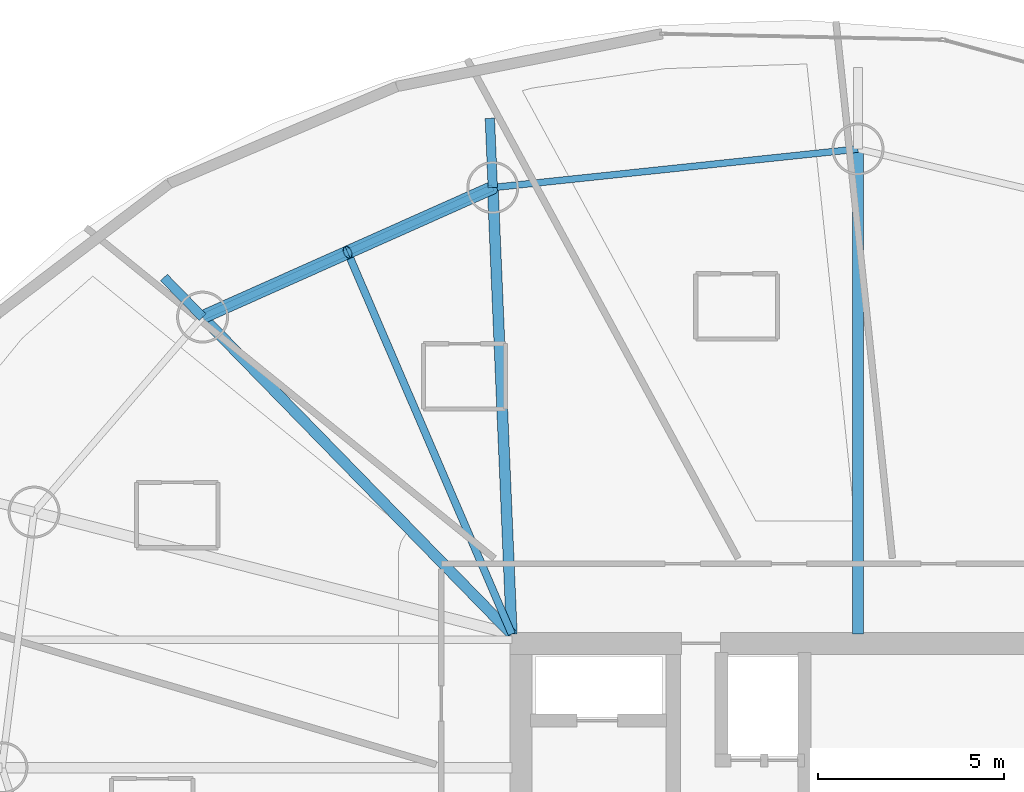
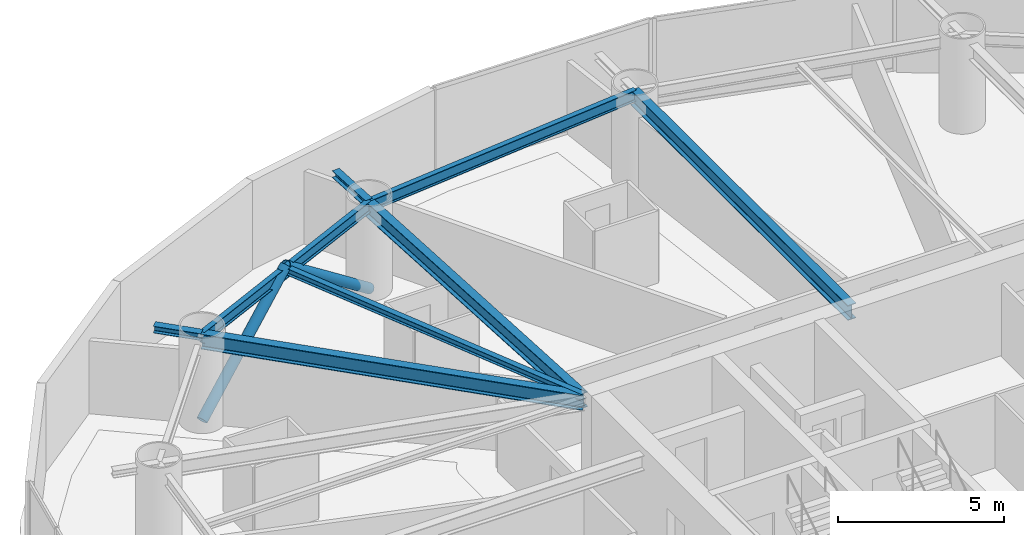
# One storey, part 15 of 26: 8 beams, 2 members.
"""IFC4 building model written with IfcOpenShell, lengths in metres."""

from ifc_helpers import new_model, si_unit, direction, frame, origin, origin_2d, place, context, subcontext, project, spatial, hollow_circle, i_section, extrude, material, material_profile, profile_set, type_object, element, save


model = new_model("IFC4")

# Units and contexts
model_context = context("Model", 3, precision=1e-05, world=origin(), true_north=direction((0.0, 1.0)))
body_context = subcontext(model_context, "Body", "Model", "MODEL_VIEW")
ifc_project = project(units=[si_unit("LENGTHUNIT", "METRE"), si_unit("AREAUNIT", "SQUARE_METRE"), si_unit("VOLUMEUNIT", "CUBIC_METRE"), si_unit("PLANEANGLEUNIT", "RADIAN"), si_unit("MASSUNIT", "GRAM", prefix="KILO")], contexts=[model_context])

# Site, building, storey
site_placement = place(None, origin())
site = spatial("IfcSite", under=ifc_project, at=site_placement, CompositionType="ELEMENT")
building_placement = place(site_placement, origin())
building = spatial("IfcBuilding", under=site, at=building_placement, Name="Bramvorn Convention Spire", CompositionType="ELEMENT")
storey_placement = place(building_placement, frame((0.0, 0.0, 123.800048828125)))
storey = spatial("IfcBuildingStorey", under=building, at=storey_placement, Name="L30", CompositionType="ELEMENT", Elevation=123.800048828125)

# Beams
ifc_material = material(Name="Steel CSA G40.21 Grade 350 (350W)", Category="steel")
ifc_material_profile_1 = material_profile(ifc_material, i_section(OverallWidth=0.201904296875, OverallDepth=0.2470703125, WebThickness=0.00732421875, FlangeThickness=0.010986328125, FilletRadius=0.011962890625, at=origin_2d()))
ifc_profile_set_1 = profile_set([ifc_material_profile_1], Name="Steel CSA G40.21 Grade 350 (350W) - W250X49")
beam_type_1 = type_object("IfcBeamType", Name="BM-W250X49", PredefinedType="JOIST", material=ifc_profile_set_1)
beam_1_placement = place(storey_placement, frame((26.75, 33.449951171875, 3.136474609375), z_axis=(-0.394937739893, 0.918707886985, 0.0), x_axis=(-0.918707886985, -0.394937739893, 0.0)))
element("IfcBeam", 1, at=beam_1_placement, inside=storey, type_object=beam_type_1, Name="L30 composite floor joist 07", PredefinedType="JOIST", context=body_context, shape_type="SweptSolid", body=[
    extrude(i_section(OverallWidth=0.201904296875, OverallDepth=0.2470703125, WebThickness=0.00732421875, FlangeThickness=0.010986328125, FilletRadius=0.011962890625, at=origin_2d()), origin(), (0.0, 0.0, 1.0), 11.19384765625),
])
ifc_material_profile_2 = material_profile(ifc_material, i_section(OverallWidth=0.25390625, OverallDepth=0.2529296875, WebThickness=0.008544921875, FlangeThickness=0.01416015625, FilletRadius=0.011962890625, at=origin_2d()))
ifc_profile_set_2 = profile_set([ifc_material_profile_2], Name="Steel CSA G40.21 Grade 350 (350W) - W250X73")
beam_type_2 = type_object("IfcBeamType", Name="BM-W250X73", PredefinedType="BEAM", material=ifc_profile_set_2)
beam_2_placement = place(storey_placement, frame((26.23828125, 45.478759765625, 3.133544921875), z_axis=(-0.042620227501, 0.999091345277, 0.0), x_axis=(-0.999091345277, -0.042620227501, 0.0)))
element("IfcBeam", 2, at=beam_2_placement, inside=storey, type_object=beam_type_2, Name="L30 slab-edge cantilever tip beam MC07", PredefinedType="BEAM", context=body_context, shape_type="SweptSolid", body=[
    extrude(i_section(OverallWidth=0.25390625, OverallDepth=0.2529296875, WebThickness=0.008544921875, FlangeThickness=0.01416015625, FilletRadius=0.011962890625, at=origin_2d()), origin(), (0.0, 0.0, 1.0), 1.867431640625),
])
beam_3_placement = place(storey_placement, frame((18.420166015625, 41.9892578125, 3.133544921875), z_axis=(-0.698198879145, 0.715903851897, 0.0), x_axis=(-0.715903851897, -0.698198879145, 0.0)))
element("IfcBeam", 3, at=beam_3_placement, inside=storey, type_object=beam_type_2, Name="L30 slab-edge cantilever tip beam MC08", PredefinedType="BEAM", context=body_context, shape_type="SweptSolid", body=[
    extrude(i_section(OverallWidth=0.25390625, OverallDepth=0.2529296875, WebThickness=0.008544921875, FlangeThickness=0.01416015625, FilletRadius=0.011962890625, at=origin_2d()), origin(), (0.0, 0.0, 1.0), 1.4892578125),
])
ifc_material_profile_3 = material_profile(ifc_material, i_section(OverallWidth=0.180908203125, OverallDepth=0.4169921875, WebThickness=0.010986328125, FlangeThickness=0.018310546875, FilletRadius=0.01611328125, at=origin_2d()))
ifc_profile_set_3 = profile_set([ifc_material_profile_3], Name="Steel CSA G40.21 Grade 350 (350W) - W410X85")
beam_type_3 = type_object("IfcBeamType", Name="BM-W410X85", PredefinedType="JOIST", material=ifc_profile_set_3)
beam_4_placement = place(storey_placement, frame((36.075927734375, 46.517333984375, 3.051513671875), z_axis=(-0.994473491975, -0.104987969596, 0.0), x_axis=(0.104987969596, -0.994473491975, 0.0)))
element("IfcBeam", 4, at=beam_4_placement, inside=storey, type_object=beam_type_3, Name="L30 mega-column ring beam 06", PredefinedType="JOIST", context=body_context, shape_type="SweptSolid", body=[
    extrude(i_section(OverallWidth=0.180908203125, OverallDepth=0.4169921875, WebThickness=0.010986328125, FlangeThickness=0.018310546875, FilletRadius=0.01611328125, at=origin_2d()), origin(), (0.0, 0.0, 1.0), 9.892333984375),
])
beam_5_placement = place(storey_placement, frame((26.23828125, 45.478759765625, 3.051513671875), z_axis=(-0.913169534701, -0.407579931908, 0.0), x_axis=(0.407579931908, -0.913169534701, 0.0)))
element("IfcBeam", 5, at=beam_5_placement, inside=storey, type_object=beam_type_3, Name="L30 mega-column ring beam 07", PredefinedType="JOIST", context=body_context, shape_type="SweptSolid", body=[
    extrude(i_section(OverallWidth=0.180908203125, OverallDepth=0.4169921875, WebThickness=0.010986328125, FlangeThickness=0.018310546875, FilletRadius=0.01611328125, at=origin_2d()), origin(), (0.0, 0.0, 1.0), 8.5615234375),
])
ifc_material_profile_4 = material_profile(ifc_material, i_section(OverallWidth=0.2919921875, OverallDepth=0.551025390625, WebThickness=0.01513671875, FlangeThickness=0.0244140625, FilletRadius=0.01904296875, at=origin_2d()))
ifc_profile_set_4 = profile_set([ifc_material_profile_4], Name="Steel CSA G40.21 Grade 350 (350W) - W530X182")
beam_type_4 = type_object("IfcBeamType", Name="BM-W530X182", PredefinedType="BEAM", material=ifc_profile_set_4)
beam_6_placement = place(storey_placement, frame((36.075927734375, 33.449951171875, 2.984375), z_axis=(0.0, 1.0, 0.0), x_axis=(-1.0, 0.0, 0.0)))
element("IfcBeam", 6, at=beam_6_placement, inside=storey, type_object=beam_type_4, Name="L30 radial floor girder MC06", PredefinedType="BEAM", context=body_context, shape_type="SweptSolid", body=[
    extrude(i_section(OverallWidth=0.2919921875, OverallDepth=0.551025390625, WebThickness=0.01513671875, FlangeThickness=0.0244140625, FilletRadius=0.01904296875, at=origin_2d()), origin(), (0.0, 0.0, 1.0), 13.0673828125),
])
beam_7_placement = place(storey_placement, frame((26.75, 33.449951171875, 2.984375), z_axis=(-0.042502657955, 0.999096353745, 0.0), x_axis=(-0.999096353745, -0.042502657955, 0.0)))
element("IfcBeam", 7, at=beam_7_placement, inside=storey, type_object=beam_type_4, Name="L30 radial floor girder MC07", PredefinedType="BEAM", context=body_context, shape_type="SweptSolid", body=[
    extrude(i_section(OverallWidth=0.2919921875, OverallDepth=0.551025390625, WebThickness=0.01513671875, FlangeThickness=0.0244140625, FilletRadius=0.01904296875, at=origin_2d()), origin(), (0.0, 0.0, 1.0), 12.039794921875),
])
beam_8_placement = place(storey_placement, frame((26.75, 33.449951171875, 2.984375), z_axis=(-0.698272445638, 0.715832097397, 0.0), x_axis=(-0.715832097397, -0.698272445638, 0.0)))
element("IfcBeam", 8, at=beam_8_placement, inside=storey, type_object=beam_type_4, Name="L30 radial floor girder MC08", PredefinedType="BEAM", context=body_context, shape_type="SweptSolid", body=[
    extrude(i_section(OverallWidth=0.2919921875, OverallDepth=0.551025390625, WebThickness=0.01513671875, FlangeThickness=0.0244140625, FilletRadius=0.01904296875, at=origin_2d()), origin(), (0.0, 0.0, 1.0), 11.92919921875),
])

# Members
ifc_material_profile_5 = material_profile(ifc_material, hollow_circle(Radius=0.177734375, WallThickness=0.015869140625, at=origin_2d()))
ifc_profile_set_5 = profile_set([ifc_material_profile_5], Name="Steel CSA G40.21 Grade 350 (350W) - CHS356X16")
member_type = type_object("IfcMemberType", Name="MBR-CHS356X16", PredefinedType="BRACE", material=ifc_profile_set_5)
member_1_placement = place(storey_placement, frame((26.23828125, 45.478759765625, 0.0), z_axis=(-0.726493716718, -0.324272457743, 0.605850024939), x_axis=(0.407593096918, -0.913163658577, 0.0)))
element("IfcMember", 9, at=member_1_placement, inside=storey, type_object=member_type, Name="L30 perimeter Gothic lancet brace 7A", PredefinedType="BRACE", context=body_context, shape_type="SweptSolid", body=[
    extrude(hollow_circle(Radius=0.177734375, WallThickness=0.015869140625, at=origin_2d()), origin(), (0.0, 0.0, 1.0), 5.380859375),
])
member_2_placement = place(storey_placement, frame((18.420166015625, 41.9892578125, 0.0), z_axis=(0.726482979428, 0.324242543938, 0.605878909768), x_axis=(-0.407566765821, 0.913175411078, 0.0)))
element("IfcMember", 10, at=member_2_placement, inside=storey, type_object=member_type, Name="L30 perimeter Gothic lancet brace 7B", PredefinedType="BRACE", context=body_context, shape_type="SweptSolid", body=[
    extrude(hollow_circle(Radius=0.177734375, WallThickness=0.015869140625, at=origin_2d()), origin(), (0.0, 0.0, 1.0), 5.380615234375),
])

save(model, "model.ifc")
